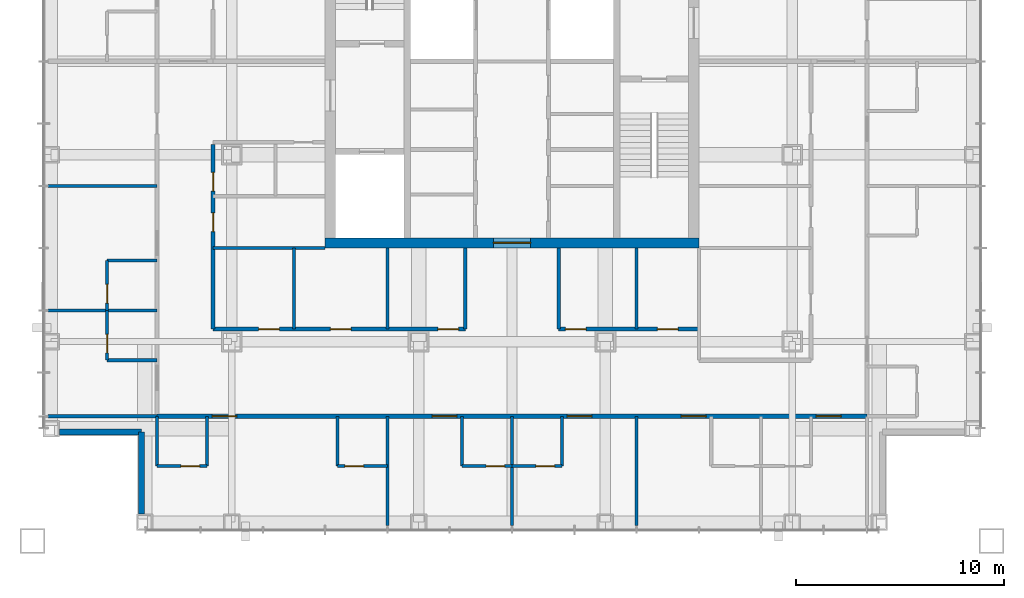
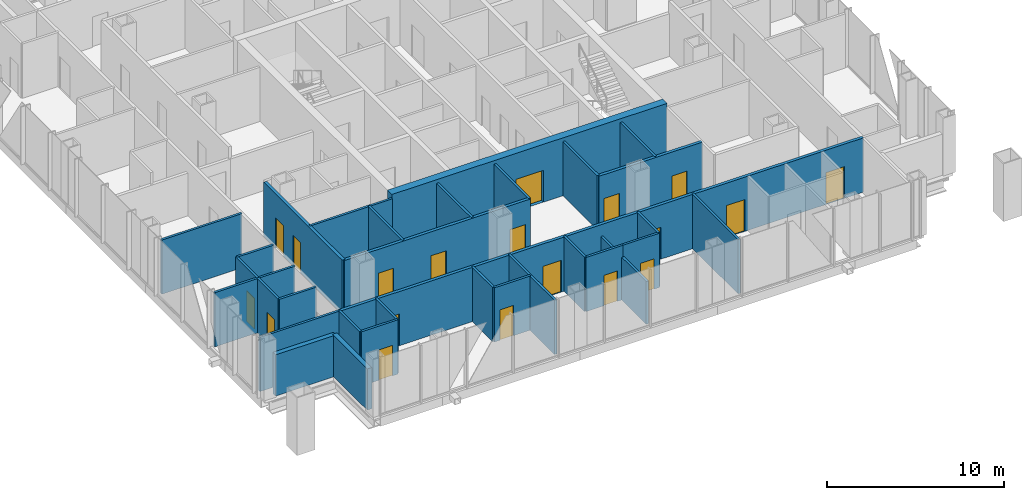
# One storey, part 12 of 18: 32 walls, 19 doors, 19 openings.
"""IFC4 building model written with IfcOpenShell, lengths in metres."""

from ifc_helpers import new_model, si_unit, direction, frame, frame_2d, origin, place, context, subcontext, project, spatial, rectangle, extrude, material, layer, layer_set, type_object, element, fill, save


model = new_model("IFC4")

# Units and contexts
model_context = context("Model", 3, precision=1e-05, world=origin(), true_north=direction((0.0, 1.0)))
body_context = subcontext(model_context, "Body", "Model", "MODEL_VIEW")
ifc_project = project(units=[si_unit("LENGTHUNIT", "METRE"), si_unit("AREAUNIT", "SQUARE_METRE"), si_unit("VOLUMEUNIT", "CUBIC_METRE"), si_unit("PLANEANGLEUNIT", "RADIAN"), si_unit("MASSUNIT", "GRAM", prefix="KILO")], contexts=[model_context])

# Site, building, storey
site_placement = place(None, origin())
site = spatial("IfcSite", under=ifc_project, at=site_placement, CompositionType="ELEMENT")
building_placement = place(site_placement, origin())
building = spatial("IfcBuilding", under=site, at=building_placement, Name="Malebo Sky Hospital", CompositionType="ELEMENT")
storey_placement = place(building_placement, frame((0.0, 0.0, 225.0)))
storey = spatial("IfcBuildingStorey", under=building, at=storey_placement, Name="L54", CompositionType="ELEMENT", Elevation=225.0)

# Wall, opening, door
ifc_material_1 = material(Name="Concrete C80/95", Category="concrete")
ifc_layer_1 = layer(ifc_material_1, 0.5)
ifc_layer_set_1 = layer_set([ifc_layer_1], Name="CORE WALL 500")
wall_type_1 = type_object("IfcWallType", Name="CORE WALL 500", PredefinedType="SHEAR", material=ifc_layer_set_1)
wall_1_placement = place(storey_placement, frame((51.0, 53.25, 0.0), z_axis=(0.0, 0.0, 1.0), x_axis=(1.0, 0.0, 0.0)))
wall_1 = element("IfcWall", 1, at=wall_1_placement, inside=storey, type_object=wall_type_1, Name="Core wall S L54", PredefinedType="SHEAR", context=body_context, shape_type="SweptSolid", body=[
    extrude(rectangle(XDim=18.0, YDim=0.5, at=frame_2d((9.0, 0.0))), origin(), (0.0, 0.0, 1.0), 4.0),
])
opening_1_placement = place(wall_1_placement, frame((8.10009765625, 0.0, 0.0)))
opening_1 = element("IfcOpeningElement", 2, at=opening_1_placement, cuts=wall_1, Name="Opening D06", PredefinedType="OPENING", context=body_context, shape_type="SweptSolid", body=[
    extrude(rectangle(XDim=1.800048828125, YDim=2.199951171875, at=frame_2d((0.89990234375, 1.10009765625))), frame((0.0, 0.260009765625, 0.0), z_axis=(0.0, -1.0, 0.0), x_axis=(1.0, 0.0, 0.0)), (0.0, 0.0, 1.0), 0.52001953125),
])
ifc_material_2 = material(Name="Hardwood-faced door leaf in steel frame", Category="steel")
door_type_1 = type_object("IfcDoorType", Name="LOBBY DOOR PAIR 1800", OperationType="DOUBLE_DOOR_SINGLE_SWING", PredefinedType="DOOR", material=ifc_material_2)
door_1_placement = place(opening_1_placement, origin())
door_1 = element("IfcDoor", 3, at=door_1_placement, inside=storey, type_object=door_type_1, Name="Service lobby door south", OperationType="DOUBLE_DOOR_SINGLE_SWING", OverallHeight=2.199951171875, OverallWidth=1.800048828125, PredefinedType="DOOR", context=body_context, shape_type="SweptSolid", body=[
    extrude(rectangle(XDim=1.800048828125, YDim=2.199951171875, at=frame_2d((0.89990234375, 1.10009765625))), frame((0.0, 0.02490234375, 0.0), z_axis=(0.0, -1.0, 0.0), x_axis=(1.0, 0.0, 0.0)), (0.0, 0.0, 1.0), 0.050048828125),
])
fill(opening_1, door_1)

# Wall, openings, doors
ifc_material_3 = material(Name="Gypsum board on steel studs", Category="steel")
ifc_layer_2 = layer(ifc_material_3, 0.199951171875)
ifc_layer_set_2 = layer_set([ifc_layer_2], Name="CORRIDOR WALL 200")
wall_type_2 = type_object("IfcWallType", Name="CORRIDOR WALL 200", PredefinedType="PARTITIONING", material=ifc_layer_set_2)
wall_2_placement = place(storey_placement, frame((45.60009765625, 49.10009765625, 0.0), z_axis=(0.0, 0.0, 1.0), x_axis=(0.0, 1.0, 0.0)))
wall_2 = element("IfcWall", 4, at=wall_2_placement, inside=storey, type_object=wall_type_2, Name="Corridor Wall 200 WCI1", PredefinedType="PARTITIONING", context=body_context, shape_type="SweptSolid", body=[
    extrude(rectangle(XDim=8.89990234375, YDim=0.199951171875, at=frame_2d((4.449951171875, 0.0))), origin(), (0.0, 0.0, 1.0), 3.75),
])
opening_2_placement = place(wall_2_placement, frame((4.699951171875, 0.0, 0.0)))
opening_2 = element("IfcOpeningElement", 5, at=opening_2_placement, cuts=wall_2, Name="Opening D04", PredefinedType="OPENING", context=body_context, shape_type="SweptSolid", body=[
    extrude(rectangle(XDim=0.89990234375, YDim=2.10009765625, at=frame_2d((0.449951171875, 1.050048828125))), frame((0.0, 0.10986328125, 0.0), z_axis=(0.0, -1.0, 0.0), x_axis=(1.0, 0.0, 0.0)), (0.0, 0.0, 1.0), 0.219970703125),
])
opening_3_placement = place(wall_2_placement, frame((6.64990234375, 0.0, 0.0)))
opening_3 = element("IfcOpeningElement", 6, at=opening_3_placement, cuts=wall_2, Name="Opening D04", PredefinedType="OPENING", context=body_context, shape_type="SweptSolid", body=[
    extrude(rectangle(XDim=0.89990234375, YDim=2.10009765625, at=frame_2d((0.449951171875, 1.050048828125))), frame((0.0, 0.10986328125, 0.0), z_axis=(0.0, -1.0, 0.0), x_axis=(1.0, 0.0, 0.0)), (0.0, 0.0, 1.0), 0.219970703125),
])
door_type_2 = type_object("IfcDoorType", Name="ROOM DOOR 900", OperationType="SINGLE_SWING_LEFT", PredefinedType="DOOR", material=ifc_material_2)
door_2_placement = place(opening_2_placement, origin())
door_2 = element("IfcDoor", 7, at=door_2_placement, inside=storey, type_object=door_type_2, Name="Ward office door", OperationType="SINGLE_SWING_LEFT", OverallHeight=2.10009765625, OverallWidth=0.89990234375, PredefinedType="DOOR", context=body_context, shape_type="SweptSolid", body=[
    extrude(rectangle(XDim=0.89990234375, YDim=2.10009765625, at=frame_2d((0.449951171875, 1.050048828125))), frame((0.0, 0.02490234375, 0.0), z_axis=(0.0, -1.0, 0.0), x_axis=(1.0, 0.0, 0.0)), (0.0, 0.0, 1.0), 0.050048828125),
])
fill(opening_2, door_2)
door_3_placement = place(opening_3_placement, origin())
door_3 = element("IfcDoor", 8, at=door_3_placement, inside=storey, type_object=door_type_2, Name="Linen store door", OperationType="SINGLE_SWING_LEFT", OverallHeight=2.10009765625, OverallWidth=0.89990234375, PredefinedType="DOOR", context=body_context, shape_type="SweptSolid", body=[
    extrude(rectangle(XDim=0.89990234375, YDim=2.10009765625, at=frame_2d((0.449951171875, 1.050048828125))), frame((0.0, 0.02490234375, 0.0), z_axis=(0.0, -1.0, 0.0), x_axis=(1.0, 0.0, 0.0)), (0.0, 0.0, 1.0), 0.050048828125),
])
fill(opening_3, door_3)

wall_3_placement = place(storey_placement, frame((77.10009765625, 44.89990234375, 0.0), z_axis=(0.0, 0.0, 1.0), x_axis=(-1.0, 0.0, 0.0)))
wall_3 = element("IfcWall", 9, at=wall_3_placement, inside=storey, type_object=wall_type_2, Name="Corridor Wall 200 SCO", PredefinedType="PARTITIONING", context=body_context, shape_type="SweptSolid", body=[
    extrude(rectangle(XDim=34.2001953125, YDim=0.199951171875, at=frame_2d((17.10009765625, 0.0))), origin(), (0.0, 0.0, 1.0), 3.75),
])
opening_4_placement = place(wall_3_placement, frame((1.25, 0.0, 0.0)))
opening_4 = element("IfcOpeningElement", 10, at=opening_4_placement, cuts=wall_3, Name="Opening D01", PredefinedType="OPENING", context=body_context, shape_type="SweptSolid", body=[
    extrude(rectangle(XDim=1.199951171875, YDim=2.199951171875, at=frame_2d((0.60009765625, 1.10009765625))), frame((0.0, 0.10986328125, 0.0), z_axis=(0.0, -1.0, 0.0), x_axis=(1.0, 0.0, 0.0)), (0.0, 0.0, 1.0), 0.219970703125),
])
opening_5_placement = place(wall_3_placement, frame((7.75, 0.0, 0.0)))
opening_5 = element("IfcOpeningElement", 11, at=opening_5_placement, cuts=wall_3, Name="Opening D01", PredefinedType="OPENING", context=body_context, shape_type="SweptSolid", body=[
    extrude(rectangle(XDim=1.199951171875, YDim=2.199951171875, at=frame_2d((0.60009765625, 1.10009765625))), frame((0.0, 0.10986328125, 0.0), z_axis=(0.0, -1.0, 0.0), x_axis=(1.0, 0.0, 0.0)), (0.0, 0.0, 1.0), 0.219970703125),
])
opening_6_placement = place(wall_3_placement, frame((13.25, 0.0, 0.0)))
opening_6 = element("IfcOpeningElement", 12, at=opening_6_placement, cuts=wall_3, Name="Opening D01", PredefinedType="OPENING", context=body_context, shape_type="SweptSolid", body=[
    extrude(rectangle(XDim=1.199951171875, YDim=2.199951171875, at=frame_2d((0.60009765625, 1.10009765625))), frame((0.0, 0.10986328125, 0.0), z_axis=(0.0, -1.0, 0.0), x_axis=(1.0, 0.0, 0.0)), (0.0, 0.0, 1.0), 0.219970703125),
])
opening_7_placement = place(wall_3_placement, frame((19.75, 0.0, 0.0)))
opening_7 = element("IfcOpeningElement", 13, at=opening_7_placement, cuts=wall_3, Name="Opening D01", PredefinedType="OPENING", context=body_context, shape_type="SweptSolid", body=[
    extrude(rectangle(XDim=1.199951171875, YDim=2.199951171875, at=frame_2d((0.60009765625, 1.10009765625))), frame((0.0, 0.10986328125, 0.0), z_axis=(0.0, -1.0, 0.0), x_axis=(1.0, 0.0, 0.0)), (0.0, 0.0, 1.0), 0.219970703125),
])
opening_8_placement = place(wall_3_placement, frame((30.35009765625, 0.0, 0.0)))
opening_8 = element("IfcOpeningElement", 14, at=opening_8_placement, cuts=wall_3, Name="Opening D01", PredefinedType="OPENING", context=body_context, shape_type="SweptSolid", body=[
    extrude(rectangle(XDim=1.199951171875, YDim=2.199951171875, at=frame_2d((0.60009765625, 1.10009765625))), frame((0.0, 0.10986328125, 0.0), z_axis=(0.0, -1.0, 0.0), x_axis=(1.0, 0.0, 0.0)), (0.0, 0.0, 1.0), 0.219970703125),
])
door_type_3 = type_object("IfcDoorType", Name="BED DOOR 1200", OperationType="SINGLE_SWING_LEFT", PredefinedType="DOOR", material=ifc_material_2)
door_4_placement = place(opening_4_placement, origin())
door_4 = element("IfcDoor", 15, at=door_4_placement, inside=storey, type_object=door_type_3, Name="Single bed room door", OperationType="SINGLE_SWING_RIGHT", OverallHeight=2.199951171875, OverallWidth=1.199951171875, PredefinedType="DOOR", context=body_context, shape_type="SweptSolid", body=[
    extrude(rectangle(XDim=1.199951171875, YDim=2.199951171875, at=frame_2d((0.60009765625, 1.10009765625))), frame((0.0, 0.02490234375, 0.0), z_axis=(0.0, -1.0, 0.0), x_axis=(1.0, 0.0, 0.0)), (0.0, 0.0, 1.0), 0.050048828125),
])
fill(opening_4, door_4)
door_5_placement = place(opening_5_placement, origin())
door_5 = element("IfcDoor", 16, at=door_5_placement, inside=storey, type_object=door_type_3, Name="Single bed room door", OperationType="SINGLE_SWING_LEFT", OverallHeight=2.199951171875, OverallWidth=1.199951171875, PredefinedType="DOOR", context=body_context, shape_type="SweptSolid", body=[
    extrude(rectangle(XDim=1.199951171875, YDim=2.199951171875, at=frame_2d((0.60009765625, 1.10009765625))), frame((0.0, 0.02490234375, 0.0), z_axis=(0.0, -1.0, 0.0), x_axis=(1.0, 0.0, 0.0)), (0.0, 0.0, 1.0), 0.050048828125),
])
fill(opening_5, door_5)
door_6_placement = place(opening_6_placement, origin())
door_6 = element("IfcDoor", 17, at=door_6_placement, inside=storey, type_object=door_type_3, Name="Single bed room door", OperationType="SINGLE_SWING_RIGHT", OverallHeight=2.199951171875, OverallWidth=1.199951171875, PredefinedType="DOOR", context=body_context, shape_type="SweptSolid", body=[
    extrude(rectangle(XDim=1.199951171875, YDim=2.199951171875, at=frame_2d((0.60009765625, 1.10009765625))), frame((0.0, 0.02490234375, 0.0), z_axis=(0.0, -1.0, 0.0), x_axis=(1.0, 0.0, 0.0)), (0.0, 0.0, 1.0), 0.050048828125),
])
fill(opening_6, door_6)
door_7_placement = place(opening_7_placement, origin())
door_7 = element("IfcDoor", 18, at=door_7_placement, inside=storey, type_object=door_type_3, Name="Single bed room door", OperationType="SINGLE_SWING_LEFT", OverallHeight=2.199951171875, OverallWidth=1.199951171875, PredefinedType="DOOR", context=body_context, shape_type="SweptSolid", body=[
    extrude(rectangle(XDim=1.199951171875, YDim=2.199951171875, at=frame_2d((0.60009765625, 1.10009765625))), frame((0.0, 0.02490234375, 0.0), z_axis=(0.0, -1.0, 0.0), x_axis=(1.0, 0.0, 0.0)), (0.0, 0.0, 1.0), 0.050048828125),
])
fill(opening_7, door_7)
door_8_placement = place(opening_8_placement, origin())
door_8 = element("IfcDoor", 19, at=door_8_placement, inside=storey, type_object=door_type_3, Name="Four-bed bay door", OperationType="SINGLE_SWING_RIGHT", OverallHeight=2.199951171875, OverallWidth=1.199951171875, PredefinedType="DOOR", context=body_context, shape_type="SweptSolid", body=[
    extrude(rectangle(XDim=1.199951171875, YDim=2.199951171875, at=frame_2d((0.60009765625, 1.10009765625))), frame((0.0, 0.02490234375, 0.0), z_axis=(0.0, -1.0, 0.0), x_axis=(1.0, 0.0, 0.0)), (0.0, 0.0, 1.0), 0.050048828125),
])
fill(opening_8, door_8)

wall_4_placement = place(storey_placement, frame((69.0, 49.10009765625, 0.0), z_axis=(0.0, 0.0, 1.0), x_axis=(-1.0, 0.0, 0.0)))
wall_4 = element("IfcWall", 20, at=wall_4_placement, inside=storey, type_object=wall_type_2, Name="Corridor Wall 200 SCI1", PredefinedType="PARTITIONING", context=body_context, shape_type="SweptSolid", body=[
    extrude(rectangle(XDim=6.75, YDim=0.199951171875, at=frame_2d((3.375, 0.0))), origin(), (0.0, 0.0, 1.0), 3.75),
])
opening_9_placement = place(wall_4_placement, frame((1.0, 0.0, 0.0)))
opening_9 = element("IfcOpeningElement", 21, at=opening_9_placement, cuts=wall_4, Name="Opening D03", PredefinedType="OPENING", context=body_context, shape_type="SweptSolid", body=[
    extrude(rectangle(XDim=1.0, YDim=2.10009765625, at=frame_2d((0.5, 1.050048828125))), frame((0.0, 0.10986328125, 0.0), z_axis=(0.0, -1.0, 0.0), x_axis=(1.0, 0.0, 0.0)), (0.0, 0.0, 1.0), 0.219970703125),
])
opening_10_placement = place(wall_4_placement, frame((5.425048828125, 0.0, 0.0)))
opening_10 = element("IfcOpeningElement", 22, at=opening_10_placement, cuts=wall_4, Name="Opening D03", PredefinedType="OPENING", context=body_context, shape_type="SweptSolid", body=[
    extrude(rectangle(XDim=1.0, YDim=2.10009765625, at=frame_2d((0.5, 1.050048828125))), frame((0.0, 0.10986328125, 0.0), z_axis=(0.0, -1.0, 0.0), x_axis=(1.0, 0.0, 0.0)), (0.0, 0.0, 1.0), 0.219970703125),
])
door_type_4 = type_object("IfcDoorType", Name="ROOM DOOR 1000", OperationType="SINGLE_SWING_LEFT", PredefinedType="DOOR", material=ifc_material_2)
door_9_placement = place(opening_9_placement, origin())
door_9 = element("IfcDoor", 23, at=door_9_placement, inside=storey, type_object=door_type_4, Name="Clean utility room door", OperationType="SINGLE_SWING_LEFT", OverallHeight=2.10009765625, OverallWidth=1.0, PredefinedType="DOOR", context=body_context, shape_type="SweptSolid", body=[
    extrude(rectangle(XDim=1.0, YDim=2.10009765625, at=frame_2d((0.5, 1.050048828125))), frame((0.0, 0.02490234375, 0.0), z_axis=(0.0, -1.0, 0.0), x_axis=(1.0, 0.0, 0.0)), (0.0, 0.0, 1.0), 0.050048828125),
])
fill(opening_9, door_9)
door_10_placement = place(opening_10_placement, origin())
door_10 = element("IfcDoor", 24, at=door_10_placement, inside=storey, type_object=door_type_4, Name="Parents' kitchen door", OperationType="SINGLE_SWING_RIGHT", OverallHeight=2.10009765625, OverallWidth=1.0, PredefinedType="DOOR", context=body_context, shape_type="SweptSolid", body=[
    extrude(rectangle(XDim=1.0, YDim=2.10009765625, at=frame_2d((0.5, 1.050048828125))), frame((0.0, 0.02490234375, 0.0), z_axis=(0.0, -1.0, 0.0), x_axis=(1.0, 0.0, 0.0)), (0.0, 0.0, 1.0), 0.050048828125),
])
fill(opening_10, door_10)

wall_5_placement = place(storey_placement, frame((57.75, 49.10009765625, 0.0), z_axis=(0.0, 0.0, 1.0), x_axis=(-1.0, 0.0, 0.0)))
wall_5 = element("IfcWall", 25, at=wall_5_placement, inside=storey, type_object=wall_type_2, Name="Corridor Wall 200 SCI2", PredefinedType="PARTITIONING", context=body_context, shape_type="SweptSolid", body=[
    extrude(rectangle(XDim=12.14990234375, YDim=0.199951171875, at=frame_2d((6.074951171875, 0.0))), origin(), (0.0, 0.0, 1.0), 3.75),
])
opening_11_placement = place(wall_5_placement, frame((0.324951171875, 0.0, 0.0)))
opening_11 = element("IfcOpeningElement", 26, at=opening_11_placement, cuts=wall_5, Name="Opening D03", PredefinedType="OPENING", context=body_context, shape_type="SweptSolid", body=[
    extrude(rectangle(XDim=1.0, YDim=2.10009765625, at=frame_2d((0.5, 1.050048828125))), frame((0.0, 0.10986328125, 0.0), z_axis=(0.0, -1.0, 0.0), x_axis=(1.0, 0.0, 0.0)), (0.0, 0.0, 1.0), 0.219970703125),
])
opening_12_placement = place(wall_5_placement, frame((5.5, 0.0, 0.0)))
opening_12 = element("IfcOpeningElement", 27, at=opening_12_placement, cuts=wall_5, Name="Opening D03", PredefinedType="OPENING", context=body_context, shape_type="SweptSolid", body=[
    extrude(rectangle(XDim=1.0, YDim=2.10009765625, at=frame_2d((0.5, 1.050048828125))), frame((0.0, 0.10986328125, 0.0), z_axis=(0.0, -1.0, 0.0), x_axis=(1.0, 0.0, 0.0)), (0.0, 0.0, 1.0), 0.219970703125),
])
opening_13_placement = place(wall_5_placement, frame((8.949951171875, 0.0, 0.0)))
opening_13 = element("IfcOpeningElement", 28, at=opening_13_placement, cuts=wall_5, Name="Opening D03", PredefinedType="OPENING", context=body_context, shape_type="SweptSolid", body=[
    extrude(rectangle(XDim=1.0, YDim=2.10009765625, at=frame_2d((0.5, 1.050048828125))), frame((0.0, 0.10986328125, 0.0), z_axis=(0.0, -1.0, 0.0), x_axis=(1.0, 0.0, 0.0)), (0.0, 0.0, 1.0), 0.219970703125),
])
door_11_placement = place(opening_11_placement, origin())
door_11 = element("IfcDoor", 29, at=door_11_placement, inside=storey, type_object=door_type_4, Name="Seminar room door", OperationType="SINGLE_SWING_LEFT", OverallHeight=2.10009765625, OverallWidth=1.0, PredefinedType="DOOR", context=body_context, shape_type="SweptSolid", body=[
    extrude(rectangle(XDim=1.0, YDim=2.10009765625, at=frame_2d((0.5, 1.050048828125))), frame((0.0, 0.02490234375, 0.0), z_axis=(0.0, -1.0, 0.0), x_axis=(1.0, 0.0, 0.0)), (0.0, 0.0, 1.0), 0.050048828125),
])
fill(opening_11, door_11)
door_12_placement = place(opening_12_placement, origin())
door_12 = element("IfcDoor", 30, at=door_12_placement, inside=storey, type_object=door_type_4, Name="Staff base door", OperationType="SINGLE_SWING_LEFT", OverallHeight=2.10009765625, OverallWidth=1.0, PredefinedType="DOOR", context=body_context, shape_type="SweptSolid", body=[
    extrude(rectangle(XDim=1.0, YDim=2.10009765625, at=frame_2d((0.5, 1.050048828125))), frame((0.0, 0.02490234375, 0.0), z_axis=(0.0, -1.0, 0.0), x_axis=(1.0, 0.0, 0.0)), (0.0, 0.0, 1.0), 0.050048828125),
])
fill(opening_12, door_12)
door_13_placement = place(opening_13_placement, origin())
door_13 = element("IfcDoor", 31, at=door_13_placement, inside=storey, type_object=door_type_4, Name="Interview room door", OperationType="SINGLE_SWING_LEFT", OverallHeight=2.10009765625, OverallWidth=1.0, PredefinedType="DOOR", context=body_context, shape_type="SweptSolid", body=[
    extrude(rectangle(XDim=1.0, YDim=2.10009765625, at=frame_2d((0.5, 1.050048828125))), frame((0.0, 0.02490234375, 0.0), z_axis=(0.0, -1.0, 0.0), x_axis=(1.0, 0.0, 0.0)), (0.0, 0.0, 1.0), 0.050048828125),
])
fill(opening_13, door_13)

# Walls
ifc_material_4 = material(Name="Anodised aluminium rainscreen on steel framing", Category="steel")
ifc_layer_3 = layer(ifc_material_4, 0.300048828125)
ifc_layer_set_3 = layer_set([ifc_layer_3], Name="NOTCH RAINSCREEN WALL 300")
wall_type_3 = type_object("IfcWallType", Name="NOTCH RAINSCREEN WALL 300", PredefinedType="ELEMENTEDWALL", material=ifc_layer_set_3)
for number, where, z_axis, x_axis, name in (
    (32, (42.14990234375, 40.199951171875, 0.0), (0.0, 0.0, 1.0), (0.0, 1.0, 0.0), "Notch rainscreen wall S1 L54"),
    (33, (42.14990234375, 44.14990234375, 0.0), (0.0, 0.0, 1.0), (-1.0, 0.0, 0.0), "Notch rainscreen wall S2 L54"),
):
    element("IfcWall", number, at=place(storey_placement, frame(where, z_axis=z_axis, x_axis=x_axis)), inside=storey, type_object=wall_type_3, Name=name, PredefinedType="ELEMENTEDWALL", context=body_context, shape_type="SweptSolid", body=[
        extrude(rectangle(XDim=3.949951171875, YDim=0.300048828125, at=frame_2d((1.97509765625, 0.0))), origin(), (0.0, 0.0, 1.0), 2.85009765625),
    ])
ifc_layer_4 = layer(ifc_material_3, 0.14990234375)
ifc_layer_set_4 = layer_set([ifc_layer_4], Name="PARTITION 150")
wall_type_4 = type_object("IfcWallType", Name="PARTITION 150", PredefinedType="PARTITIONING", material=ifc_layer_set_4)
for number, where, z_axis, x_axis, name in (
    (34, (42.89990234375, 50.0, 0.0), (0.0, 0.0, 1.0), (-1.0, 0.0, 0.0), "Partition 150 WP-12.0"),
    (35, (42.89990234375, 56.0, 0.0), (0.0, 0.0, 1.0), (-1.0, 0.0, 0.0), "Partition 150 WP-6.0"),
    (36, (42.89990234375, 44.89990234375, 0.0), (0.0, 0.0, 1.0), (-1.0, 0.0, 0.0), "Partition 150 WP0"),
):
    element("IfcWall", number, at=place(storey_placement, frame(where, z_axis=z_axis, x_axis=x_axis)), inside=storey, type_object=wall_type_4, Name=name, PredefinedType="PARTITIONING", context=body_context, shape_type="SweptSolid", body=[
        extrude(rectangle(XDim=5.25, YDim=0.14990234375, at=frame_2d((2.625, 0.0))), origin(), (0.0, 0.0, 1.0), 3.75),
    ])

# Wall, opening, door
wall_6_placement = place(storey_placement, frame((40.5, 47.60009765625, 0.0), z_axis=(0.0, 0.0, 1.0), x_axis=(0.0, 1.0, 0.0)))
wall_6 = element("IfcWall", 37, at=wall_6_placement, inside=storey, type_object=wall_type_4, Name="Partition 150 WE0F", PredefinedType="PARTITIONING", context=body_context, shape_type="SweptSolid", body=[
    extrude(rectangle(XDim=2.39990234375, YDim=0.14990234375, at=frame_2d((1.199951171875, 0.0))), origin(), (0.0, 0.0, 1.0), 3.75),
])
opening_14_placement = place(wall_6_placement, frame((0.35009765625, 0.0, 0.0)))
opening_14 = element("IfcOpeningElement", 38, at=opening_14_placement, cuts=wall_6, Name="Opening D02", PredefinedType="OPENING", context=body_context, shape_type="SweptSolid", body=[
    extrude(rectangle(XDim=0.89990234375, YDim=2.10009765625, at=frame_2d((0.449951171875, 1.050048828125))), frame((0.0, 0.0849609375, 0.0), z_axis=(0.0, -1.0, 0.0), x_axis=(1.0, 0.0, 0.0)), (0.0, 0.0, 1.0), 0.169921875),
])
door_type_5 = type_object("IfcDoorType", Name="EN-SUITE DOOR 900", OperationType="SINGLE_SWING_LEFT", PredefinedType="DOOR", material=ifc_material_2)
door_14_placement = place(opening_14_placement, origin())
door_14 = element("IfcDoor", 39, at=door_14_placement, inside=storey, type_object=door_type_5, Name="En-suite door", OperationType="SINGLE_SWING_LEFT", OverallHeight=2.10009765625, OverallWidth=0.89990234375, PredefinedType="DOOR", context=body_context, shape_type="SweptSolid", body=[
    extrude(rectangle(XDim=0.89990234375, YDim=2.10009765625, at=frame_2d((0.449951171875, 1.050048828125))), frame((0.0, 0.02490234375, 0.0), z_axis=(0.0, -1.0, 0.0), x_axis=(1.0, 0.0, 0.0)), (0.0, 0.0, 1.0), 0.050048828125),
])
fill(opening_14, door_14)

# Wall
wall_7_placement = place(storey_placement, frame((42.89990234375, 47.60009765625, 0.0), z_axis=(0.0, 0.0, 1.0), x_axis=(-1.0, 0.0, 0.0)))
element("IfcWall", 40, at=wall_7_placement, inside=storey, type_object=wall_type_4, Name="Partition 150 WE0S", PredefinedType="PARTITIONING", context=body_context, shape_type="SweptSolid", body=[
    extrude(rectangle(XDim=2.39990234375, YDim=0.14990234375, at=frame_2d((1.199951171875, 0.0))), origin(), (0.0, 0.0, 1.0), 3.75),
])

# Wall, opening, door
wall_8_placement = place(storey_placement, frame((40.5, 50.0, 0.0), z_axis=(0.0, 0.0, 1.0), x_axis=(0.0, 1.0, 0.0)))
wall_8 = element("IfcWall", 41, at=wall_8_placement, inside=storey, type_object=wall_type_4, Name="Partition 150 WE1F", PredefinedType="PARTITIONING", context=body_context, shape_type="SweptSolid", body=[
    extrude(rectangle(XDim=2.39990234375, YDim=0.14990234375, at=frame_2d((1.199951171875, 0.0))), origin(), (0.0, 0.0, 1.0), 3.75),
])
opening_15_placement = place(wall_8_placement, frame((0.35009765625, 0.0, 0.0)))
opening_15 = element("IfcOpeningElement", 42, at=opening_15_placement, cuts=wall_8, Name="Opening D02", PredefinedType="OPENING", context=body_context, shape_type="SweptSolid", body=[
    extrude(rectangle(XDim=0.89990234375, YDim=2.10009765625, at=frame_2d((0.449951171875, 1.050048828125))), frame((0.0, 0.0849609375, 0.0), z_axis=(0.0, -1.0, 0.0), x_axis=(1.0, 0.0, 0.0)), (0.0, 0.0, 1.0), 0.169921875),
])
door_15_placement = place(opening_15_placement, origin())
door_15 = element("IfcDoor", 43, at=door_15_placement, inside=storey, type_object=door_type_5, Name="En-suite door", OperationType="SINGLE_SWING_LEFT", OverallHeight=2.10009765625, OverallWidth=0.89990234375, PredefinedType="DOOR", context=body_context, shape_type="SweptSolid", body=[
    extrude(rectangle(XDim=0.89990234375, YDim=2.10009765625, at=frame_2d((0.449951171875, 1.050048828125))), frame((0.0, 0.02490234375, 0.0), z_axis=(0.0, -1.0, 0.0), x_axis=(1.0, 0.0, 0.0)), (0.0, 0.0, 1.0), 0.050048828125),
])
fill(opening_15, door_15)

# Walls
wall_9_placement = place(storey_placement, frame((42.89990234375, 52.39990234375, 0.0), z_axis=(0.0, 0.0, 1.0), x_axis=(-1.0, 0.0, 0.0)))
element("IfcWall", 44, at=wall_9_placement, inside=storey, type_object=wall_type_4, Name="Partition 150 WE1S", PredefinedType="PARTITIONING", context=body_context, shape_type="SweptSolid", body=[
    extrude(rectangle(XDim=2.39990234375, YDim=0.14990234375, at=frame_2d((1.199951171875, 0.0))), origin(), (0.0, 0.0, 1.0), 3.75),
])
wall_10_placement = place(storey_placement, frame((51.0, 53.0, 0.0), z_axis=(0.0, 0.0, 1.0), x_axis=(-1.0, 0.0, 0.0)))
element("IfcWall", 45, at=wall_10_placement, inside=storey, type_object=wall_type_4, Name="Partition 150 WSP0", PredefinedType="PARTITIONING", context=body_context, shape_type="SweptSolid", body=[
    extrude(rectangle(XDim=5.39990234375, YDim=0.14990234375, at=frame_2d((2.699951171875, 0.0))), origin(), (0.0, 0.0, 1.0), 3.75),
])
wall_11_placement = place(storey_placement, frame((66.0, 44.89990234375, 0.0), z_axis=(0.0, 0.0, 1.0), x_axis=(0.0, -1.0, 0.0)))
element("IfcWall", 46, at=wall_11_placement, inside=storey, type_object=wall_type_4, Name="Partition 150 SP-6.0", PredefinedType="PARTITIONING", context=body_context, shape_type="SweptSolid", body=[
    extrude(rectangle(XDim=5.25, YDim=0.14990234375, at=frame_2d((2.625, 0.0))), origin(), (0.0, 0.0, 1.0), 3.75),
])
wall_12_placement = place(storey_placement, frame((60.0, 44.89990234375, 0.0), z_axis=(0.0, 0.0, 1.0), x_axis=(0.0, -1.0, 0.0)))
element("IfcWall", 47, at=wall_12_placement, inside=storey, type_object=wall_type_4, Name="Partition 150 SP+0.0", PredefinedType="PARTITIONING", context=body_context, shape_type="SweptSolid", body=[
    extrude(rectangle(XDim=5.25, YDim=0.14990234375, at=frame_2d((2.625, 0.0))), origin(), (0.0, 0.0, 1.0), 2.949951171875),
])
wall_13_placement = place(storey_placement, frame((54.0, 44.89990234375, 0.0), z_axis=(0.0, 0.0, 1.0), x_axis=(0.0, -1.0, 0.0)))
element("IfcWall", 48, at=wall_13_placement, inside=storey, type_object=wall_type_4, Name="Partition 150 SP+6.0", PredefinedType="PARTITIONING", context=body_context, shape_type="SweptSolid", body=[
    extrude(rectangle(XDim=5.25, YDim=0.14990234375, at=frame_2d((2.625, 0.0))), origin(), (0.0, 0.0, 1.0), 3.75),
])

# Wall, opening, door
wall_14_placement = place(storey_placement, frame((62.39990234375, 42.5, 0.0), z_axis=(0.0, 0.0, 1.0), x_axis=(-1.0, 0.0, 0.0)))
wall_14 = element("IfcWall", 49, at=wall_14_placement, inside=storey, type_object=wall_type_4, Name="Partition 150 SE2F", PredefinedType="PARTITIONING", context=body_context, shape_type="SweptSolid", body=[
    extrude(rectangle(XDim=2.39990234375, YDim=0.14990234375, at=frame_2d((1.199951171875, 0.0))), origin(), (0.0, 0.0, 1.0), 3.75),
])
opening_16_placement = place(wall_14_placement, frame((0.35009765625, 0.0, 0.0)))
opening_16 = element("IfcOpeningElement", 50, at=opening_16_placement, cuts=wall_14, Name="Opening D02", PredefinedType="OPENING", context=body_context, shape_type="SweptSolid", body=[
    extrude(rectangle(XDim=0.89990234375, YDim=2.10009765625, at=frame_2d((0.449951171875, 1.050048828125))), frame((0.0, 0.0849609375, 0.0), z_axis=(0.0, -1.0, 0.0), x_axis=(1.0, 0.0, 0.0)), (0.0, 0.0, 1.0), 0.169921875),
])
door_16_placement = place(opening_16_placement, origin())
door_16 = element("IfcDoor", 51, at=door_16_placement, inside=storey, type_object=door_type_5, Name="En-suite door", OperationType="SINGLE_SWING_LEFT", OverallHeight=2.10009765625, OverallWidth=0.89990234375, PredefinedType="DOOR", context=body_context, shape_type="SweptSolid", body=[
    extrude(rectangle(XDim=0.89990234375, YDim=2.10009765625, at=frame_2d((0.449951171875, 1.050048828125))), frame((0.0, 0.02490234375, 0.0), z_axis=(0.0, -1.0, 0.0), x_axis=(1.0, 0.0, 0.0)), (0.0, 0.0, 1.0), 0.050048828125),
])
fill(opening_16, door_16)

# Wall
wall_15_placement = place(storey_placement, frame((62.39990234375, 44.89990234375, 0.0), z_axis=(0.0, 0.0, 1.0), x_axis=(0.0, -1.0, 0.0)))
element("IfcWall", 52, at=wall_15_placement, inside=storey, type_object=wall_type_4, Name="Partition 150 SE2S", PredefinedType="PARTITIONING", context=body_context, shape_type="SweptSolid", body=[
    extrude(rectangle(XDim=2.39990234375, YDim=0.14990234375, at=frame_2d((1.199951171875, 0.0))), origin(), (0.0, 0.0, 1.0), 3.75),
])

# Wall, opening, door
wall_16_placement = place(storey_placement, frame((60.0, 42.5, 0.0), z_axis=(0.0, 0.0, 1.0), x_axis=(-1.0, 0.0, 0.0)))
wall_16 = element("IfcWall", 53, at=wall_16_placement, inside=storey, type_object=wall_type_4, Name="Partition 150 SE3F", PredefinedType="PARTITIONING", context=body_context, shape_type="SweptSolid", body=[
    extrude(rectangle(XDim=2.39990234375, YDim=0.14990234375, at=frame_2d((1.199951171875, 0.0))), origin(), (0.0, 0.0, 1.0), 3.75),
])
opening_17_placement = place(wall_16_placement, frame((0.35009765625, 0.0, 0.0)))
opening_17 = element("IfcOpeningElement", 54, at=opening_17_placement, cuts=wall_16, Name="Opening D02", PredefinedType="OPENING", context=body_context, shape_type="SweptSolid", body=[
    extrude(rectangle(XDim=0.89990234375, YDim=2.10009765625, at=frame_2d((0.449951171875, 1.050048828125))), frame((0.0, 0.0849609375, 0.0), z_axis=(0.0, -1.0, 0.0), x_axis=(1.0, 0.0, 0.0)), (0.0, 0.0, 1.0), 0.169921875),
])
door_17_placement = place(opening_17_placement, origin())
door_17 = element("IfcDoor", 55, at=door_17_placement, inside=storey, type_object=door_type_5, Name="En-suite door", OperationType="SINGLE_SWING_LEFT", OverallHeight=2.10009765625, OverallWidth=0.89990234375, PredefinedType="DOOR", context=body_context, shape_type="SweptSolid", body=[
    extrude(rectangle(XDim=0.89990234375, YDim=2.10009765625, at=frame_2d((0.449951171875, 1.050048828125))), frame((0.0, 0.02490234375, 0.0), z_axis=(0.0, -1.0, 0.0), x_axis=(1.0, 0.0, 0.0)), (0.0, 0.0, 1.0), 0.050048828125),
])
fill(opening_17, door_17)

# Wall
wall_17_placement = place(storey_placement, frame((57.60009765625, 44.89990234375, 0.0), z_axis=(0.0, 0.0, 1.0), x_axis=(0.0, -1.0, 0.0)))
element("IfcWall", 56, at=wall_17_placement, inside=storey, type_object=wall_type_4, Name="Partition 150 SE3S", PredefinedType="PARTITIONING", context=body_context, shape_type="SweptSolid", body=[
    extrude(rectangle(XDim=2.39990234375, YDim=0.14990234375, at=frame_2d((1.199951171875, 0.0))), origin(), (0.0, 0.0, 1.0), 3.75),
])

# Wall, opening, door
wall_18_placement = place(storey_placement, frame((45.300048828125, 42.5, 0.0), z_axis=(0.0, 0.0, 1.0), x_axis=(-1.0, 0.0, 0.0)))
wall_18 = element("IfcWall", 57, at=wall_18_placement, inside=storey, type_object=wall_type_4, Name="Partition 150 SE4F", PredefinedType="PARTITIONING", context=body_context, shape_type="SweptSolid", body=[
    extrude(rectangle(XDim=2.400146484375, YDim=0.14990234375, at=frame_2d((1.2001953125, 0.0))), origin(), (0.0, 0.0, 1.0), 3.75),
])
opening_18_placement = place(wall_18_placement, frame((0.35009765625, 0.0, 0.0)))
opening_18 = element("IfcOpeningElement", 58, at=opening_18_placement, cuts=wall_18, Name="Opening D02", PredefinedType="OPENING", context=body_context, shape_type="SweptSolid", body=[
    extrude(rectangle(XDim=0.89990234375, YDim=2.10009765625, at=frame_2d((0.449951171875, 1.050048828125))), frame((0.0, 0.0849609375, 0.0), z_axis=(0.0, -1.0, 0.0), x_axis=(1.0, 0.0, 0.0)), (0.0, 0.0, 1.0), 0.169921875),
])
door_18_placement = place(opening_18_placement, origin())
door_18 = element("IfcDoor", 59, at=door_18_placement, inside=storey, type_object=door_type_5, Name="En-suite door", OperationType="SINGLE_SWING_LEFT", OverallHeight=2.10009765625, OverallWidth=0.89990234375, PredefinedType="DOOR", context=body_context, shape_type="SweptSolid", body=[
    extrude(rectangle(XDim=0.89990234375, YDim=2.10009765625, at=frame_2d((0.449951171875, 1.050048828125))), frame((0.0, 0.02490234375, 0.0), z_axis=(0.0, -1.0, 0.0), x_axis=(1.0, 0.0, 0.0)), (0.0, 0.0, 1.0), 0.050048828125),
])
fill(opening_18, door_18)

# Wall
wall_19_placement = place(storey_placement, frame((45.300048828125, 44.89990234375, 0.0), z_axis=(0.0, 0.0, 1.0), x_axis=(0.0, -1.0, 0.0)))
element("IfcWall", 60, at=wall_19_placement, inside=storey, type_object=wall_type_4, Name="Partition 150 SE4S", PredefinedType="PARTITIONING", context=body_context, shape_type="SweptSolid", body=[
    extrude(rectangle(XDim=2.39990234375, YDim=0.14990234375, at=frame_2d((1.199951171875, 0.0))), origin(), (0.0, 0.0, 1.0), 3.75),
])

# Wall, opening, door
wall_20_placement = place(storey_placement, frame((54.0, 42.5, 0.0), z_axis=(0.0, 0.0, 1.0), x_axis=(-1.0, 0.0, 0.0)))
wall_20 = element("IfcWall", 61, at=wall_20_placement, inside=storey, type_object=wall_type_4, Name="Partition 150 SG4F", PredefinedType="PARTITIONING", context=body_context, shape_type="SweptSolid", body=[
    extrude(rectangle(XDim=2.39990234375, YDim=0.14990234375, at=frame_2d((1.199951171875, 0.0))), origin(), (0.0, 0.0, 1.0), 3.75),
])
opening_19_placement = place(wall_20_placement, frame((1.14990234375, 0.0, 0.0)))
opening_19 = element("IfcOpeningElement", 62, at=opening_19_placement, cuts=wall_20, Name="Opening D02", PredefinedType="OPENING", context=body_context, shape_type="SweptSolid", body=[
    extrude(rectangle(XDim=0.89990234375, YDim=2.10009765625, at=frame_2d((0.449951171875, 1.050048828125))), frame((0.0, 0.0849609375, 0.0), z_axis=(0.0, -1.0, 0.0), x_axis=(1.0, 0.0, 0.0)), (0.0, 0.0, 1.0), 0.169921875),
])
door_19_placement = place(opening_19_placement, origin())
door_19 = element("IfcDoor", 63, at=door_19_placement, inside=storey, type_object=door_type_5, Name="En-suite door", OperationType="SINGLE_SWING_RIGHT", OverallHeight=2.10009765625, OverallWidth=0.89990234375, PredefinedType="DOOR", context=body_context, shape_type="SweptSolid", body=[
    extrude(rectangle(XDim=0.89990234375, YDim=2.10009765625, at=frame_2d((0.449951171875, 1.050048828125))), frame((0.0, 0.02490234375, 0.0), z_axis=(0.0, -1.0, 0.0), x_axis=(1.0, 0.0, 0.0)), (0.0, 0.0, 1.0), 0.050048828125),
])
fill(opening_19, door_19)

# Walls
for number, where, z_axis, x_axis, name in (
    (64, (51.60009765625, 44.89990234375, 0.0), (0.0, 0.0, 1.0), (0.0, -1.0, 0.0), "Partition 150 SG4S"),
    (65, (42.89990234375, 44.89990234375, 0.0), (0.0, 0.0, 1.0), (0.0, -1.0, 0.0), "Partition 150 SEZ"),
):
    element("IfcWall", number, at=place(storey_placement, frame(where, z_axis=z_axis, x_axis=x_axis)), inside=storey, type_object=wall_type_4, Name=name, PredefinedType="PARTITIONING", context=body_context, shape_type="SweptSolid", body=[
        extrude(rectangle(XDim=2.39990234375, YDim=0.14990234375, at=frame_2d((1.199951171875, 0.0))), origin(), (0.0, 0.0, 1.0), 3.75),
    ])
for number, where, z_axis, x_axis, name in (
    (66, (62.25, 53.0, 0.0), (0.0, 0.0, 1.0), (0.0, -1.0, 0.0), "Partition 150 SSPA"),
    (67, (57.75, 53.0, 0.0), (0.0, 0.0, 1.0), (0.0, -1.0, 0.0), "Partition 150 SSPB"),
    (68, (66.0, 53.0, 0.0), (0.0, 0.0, 1.0), (0.0, -1.0, 0.0), "Partition 150 SSP-6.0"),
    (69, (54.0, 53.0, 0.0), (0.0, 0.0, 1.0), (0.0, -1.0, 0.0), "Partition 150 SSP+6.0"),
    (70, (49.5, 53.0, 0.0), (0.0, 0.0, 1.0), (0.0, -1.0, 0.0), "Partition 150 SSP+10.5"),
):
    element("IfcWall", number, at=place(storey_placement, frame(where, z_axis=z_axis, x_axis=x_axis)), inside=storey, type_object=wall_type_4, Name=name, PredefinedType="PARTITIONING", context=body_context, shape_type="SweptSolid", body=[
        extrude(rectangle(XDim=3.89990234375, YDim=0.14990234375, at=frame_2d((1.949951171875, 0.0))), origin(), (0.0, 0.0, 1.0), 3.75),
    ])

save(model, "model.ifc")
